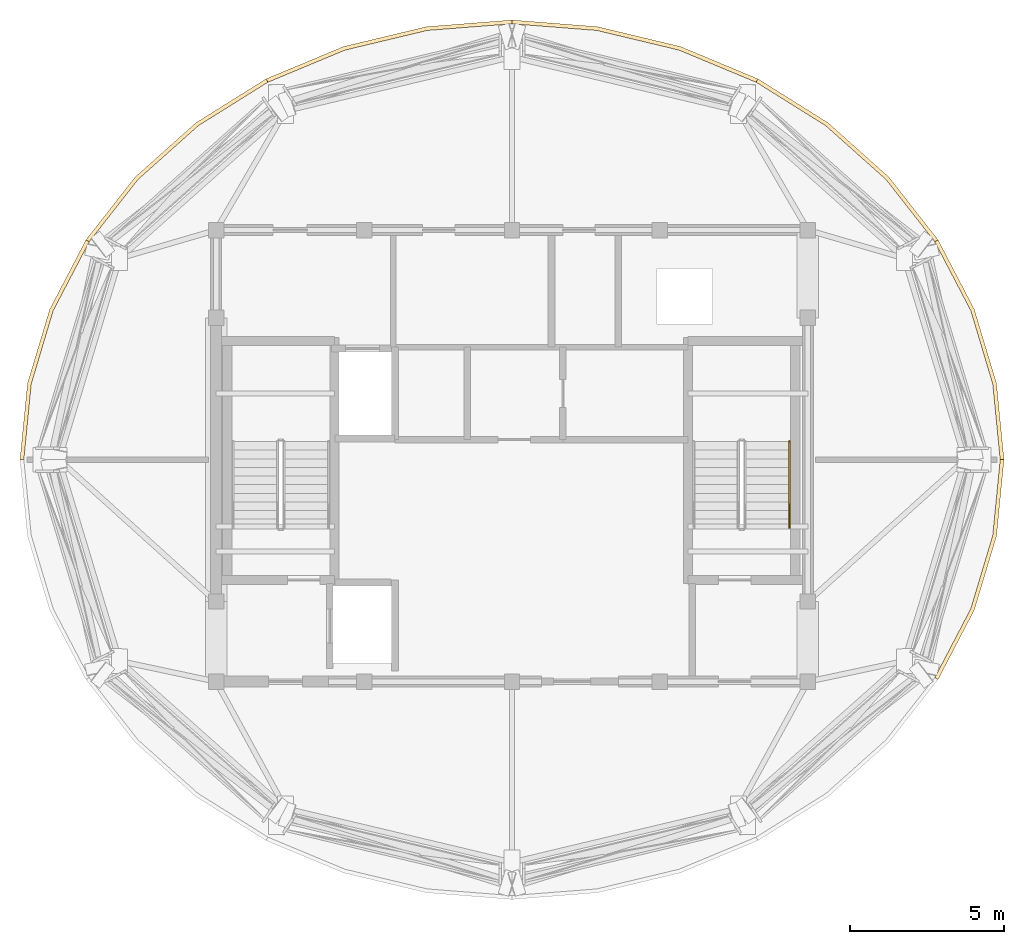
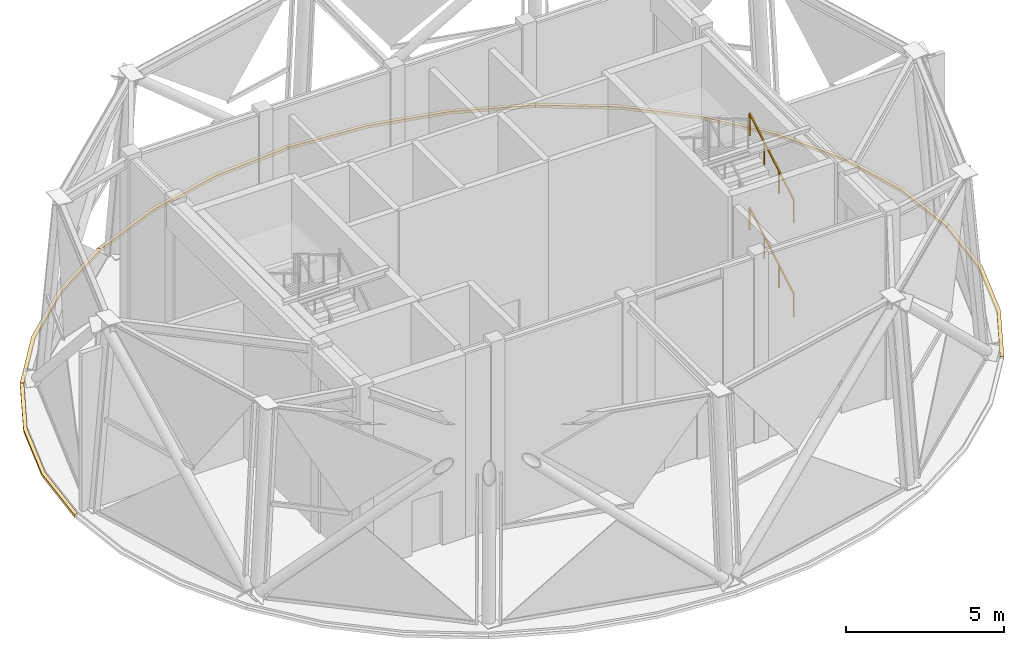
# One storey, part 8 of 8: 7 coverings, 2 railings.
"""IFC4 building model written with IfcOpenShell, lengths in metres."""

from ifc_helpers import new_model, si_unit, direction, frame, origin, origin_2d, place, context, subcontext, project, spatial, polyline, rectangle, outline, extrude, material, layer, layer_set, type_object, element, save


model = new_model("IFC4")

# Units and contexts
model_context = context("Model", 3, precision=1e-05, world=origin(), true_north=direction((0.0, 1.0)))
body_context = subcontext(model_context, "Body", "Model", "MODEL_VIEW")
ifc_project = project(units=[si_unit("LENGTHUNIT", "METRE"), si_unit("AREAUNIT", "SQUARE_METRE"), si_unit("VOLUMEUNIT", "CUBIC_METRE"), si_unit("PLANEANGLEUNIT", "RADIAN"), si_unit("MASSUNIT", "GRAM", prefix="KILO")], contexts=[model_context])

# Site, building, storey
site_placement = place(None, origin())
site = spatial("IfcSite", under=ifc_project, at=site_placement, CompositionType="ELEMENT")
building_placement = place(site_placement, origin())
building = spatial("IfcBuilding", under=site, at=building_placement, Name="Vantalir Tower", CompositionType="ELEMENT")
storey_placement = place(building_placement, frame((0.0, 0.0, 326.25)))
storey = spatial("IfcBuildingStorey", under=building, at=storey_placement, Name="L79", CompositionType="ELEMENT", Elevation=326.25)

# Coverings
ifc_material_1 = material(Name="Anodised champagne aluminium sill fascia", Category="aluminium")
ifc_layer = layer(ifc_material_1, 0.125)
ifc_layer_set = layer_set([ifc_layer], Name="Anodised champagne aluminium sill fascia")
covering_type = type_object("IfcCoveringType", Name="COV-SLAB-FASCIA-125", PredefinedType="CLADDING", material=ifc_layer_set)
covering_1_placement = place(storey_placement, frame((0.0, 0.0, -0.179931640625)))
element("IfcCovering", 1, at=covering_1_placement, inside=storey, type_object=covering_type, Name="L79 Perimeter Slab-Edge Sill Fascia 01", PredefinedType="CLADDING", context=body_context, shape_type="SweptSolid", body=[
    extrude(outline(polyline([(47.462890625, 25.0), (47.219970703125, 27.47705078125), (46.5, 29.87890625), (45.323974609375, 32.133056640625), (45.216064453125, 32.070068359375), (46.383056640625, 29.8369140625), (47.096923828125, 27.4560546875), (47.337890625, 25.0), (47.462890625, 25.0)])), origin(), (0.0, 0.0, 1.0), 0.10498046875),
])
covering_2_placement = place(storey_placement, frame((0.0, 0.0, -0.179931640625)))
element("IfcCovering", 2, at=covering_2_placement, inside=storey, type_object=covering_type, Name="L79 Perimeter Slab-Edge Sill Fascia 02", PredefinedType="CLADDING", context=body_context, shape_type="SweptSolid", body=[
    extrude(outline(polyline([(45.323974609375, 32.133056640625), (43.72802734375, 34.169921875), (41.760986328125, 35.927978515625), (39.48193359375, 37.35498046875), (39.4189453125, 37.24609375), (41.679931640625, 35.8330078125), (43.633056640625, 34.090087890625), (45.216064453125, 32.070068359375), (45.323974609375, 32.133056640625)])), origin(), (0.0, 0.0, 1.0), 0.10498046875),
])
covering_3_placement = place(storey_placement, frame((0.0, 0.0, -0.179931640625)))
element("IfcCovering", 3, at=covering_3_placement, inside=storey, type_object=covering_type, Name="L79 Perimeter Slab-Edge Sill Fascia 03", PredefinedType="CLADDING", context=body_context, shape_type="SweptSolid", body=[
    extrude(outline(polyline([(39.48193359375, 37.35498046875), (36.9599609375, 38.406005859375), (34.27197265625, 39.049072265625), (31.5, 39.26611328125), (31.5, 39.14111328125), (34.25, 38.926025390625), (36.9169921875, 38.2880859375), (39.4189453125, 37.24609375), (39.48193359375, 37.35498046875)])), origin(), (0.0, 0.0, 1.0), 0.10498046875),
])
covering_4_placement = place(storey_placement, frame((0.0, 0.0, -0.179931640625)))
element("IfcCovering", 4, at=covering_4_placement, inside=storey, type_object=covering_type, Name="L79 Perimeter Slab-Edge Sill Fascia 04", PredefinedType="CLADDING", context=body_context, shape_type="SweptSolid", body=[
    extrude(outline(polyline([(31.5, 39.26611328125), (28.72802734375, 39.049072265625), (26.0400390625, 38.406005859375), (23.51904296875, 37.35498046875), (23.5810546875, 37.24609375), (26.0830078125, 38.2880859375), (28.75, 38.926025390625), (31.5, 39.14111328125), (31.5, 39.26611328125)])), origin(), (0.0, 0.0, 1.0), 0.10498046875),
])
covering_5_placement = place(storey_placement, frame((0.0, 0.0, -0.179931640625)))
element("IfcCovering", 5, at=covering_5_placement, inside=storey, type_object=covering_type, Name="L79 Perimeter Slab-Edge Sill Fascia 05", PredefinedType="CLADDING", context=body_context, shape_type="SweptSolid", body=[
    extrude(outline(polyline([(23.51904296875, 37.35498046875), (21.239013671875, 35.927978515625), (19.27197265625, 34.169921875), (17.676025390625, 32.133056640625), (17.783935546875, 32.070068359375), (19.366943359375, 34.090087890625), (21.320068359375, 35.8330078125), (23.5810546875, 37.24609375), (23.51904296875, 37.35498046875)])), origin(), (0.0, 0.0, 1.0), 0.10498046875),
])
covering_6_placement = place(storey_placement, frame((0.0, 0.0, -0.179931640625)))
element("IfcCovering", 6, at=covering_6_placement, inside=storey, type_object=covering_type, Name="L79 Perimeter Slab-Edge Sill Fascia 06", PredefinedType="CLADDING", context=body_context, shape_type="SweptSolid", body=[
    extrude(outline(polyline([(17.676025390625, 32.133056640625), (16.5, 29.87890625), (15.780029296875, 27.47705078125), (15.537109375, 25.0), (15.662109375, 25.0), (15.903076171875, 27.4560546875), (16.616943359375, 29.8369140625), (17.783935546875, 32.070068359375), (17.676025390625, 32.133056640625)])), origin(), (0.0, 0.0, 1.0), 0.10498046875),
])
covering_7_placement = place(storey_placement, frame((0.0, 0.0, -0.179931640625)))
element("IfcCovering", 7, at=covering_7_placement, inside=storey, type_object=covering_type, Name="L79 Perimeter Slab-Edge Sill Fascia 12", PredefinedType="CLADDING", context=body_context, shape_type="SweptSolid", body=[
    extrude(outline(polyline([(45.323974609375, 17.866943359375), (46.5, 20.12109375), (47.219970703125, 22.52294921875), (47.462890625, 25.0), (47.337890625, 25.0), (47.096923828125, 22.5439453125), (46.383056640625, 20.1630859375), (45.216064453125, 17.928955078125), (45.323974609375, 17.866943359375)])), origin(), (0.0, 0.0, 1.0), 0.10498046875),
])

# Railings
ifc_material_2 = material(Name="Brushed stainless steel tubular handrail", Category="steel")
railing_type = type_object("IfcRailingType", Name="RAL-HANDRAIL-900", PredefinedType="HANDRAIL", material=ifc_material_2)
for number, where, name in (
    (8, (40.5, 22.7900390625, 0.164794921875), "L79 ST2 stair handrail 1"),
    (9, (40.5, 22.7900390625, 3.789794921875), "L79 ST2 stair handrail 3"),
):
    element("IfcRailing", number, at=place(storey_placement, frame(where)), inside=storey, type_object=railing_type, Name=name, PredefinedType="HANDRAIL", context=body_context, shape_type="SweptSolid", body=[
        extrude(rectangle(XDim=0.048095703125, YDim=0.048095703125, at=origin_2d()), frame((0.0, 0.0, 0.8759765625), z_axis=(0.0, 0.861851137157, 0.507161332695), x_axis=(-1.0, 0.0, 0.0)), (0.0, 0.0, 1.0), 3.248779296875),
        extrude(rectangle(XDim=0.0419921875, YDim=0.0419921875, at=origin_2d()), origin(), (0.0, 0.0, 1.0), 0.851806640625),
        extrude(rectangle(XDim=0.0419921875, YDim=0.0419921875, at=origin_2d()), frame((0.0, 0.933349609375, 0.54931640625)), (0.0, 0.0, 1.0), 0.851806640625),
        extrude(rectangle(XDim=0.0419921875, YDim=0.0419921875, at=origin_2d()), frame((0.0, 1.86669921875, 1.098388671875)), (0.0, 0.0, 1.0), 0.851806640625),
        extrude(rectangle(XDim=0.0419921875, YDim=0.0419921875, at=origin_2d()), frame((0.0, 2.800048828125, 1.647705078125)), (0.0, 0.0, 1.0), 0.851806640625),
    ])

save(model, "model.ifc")
